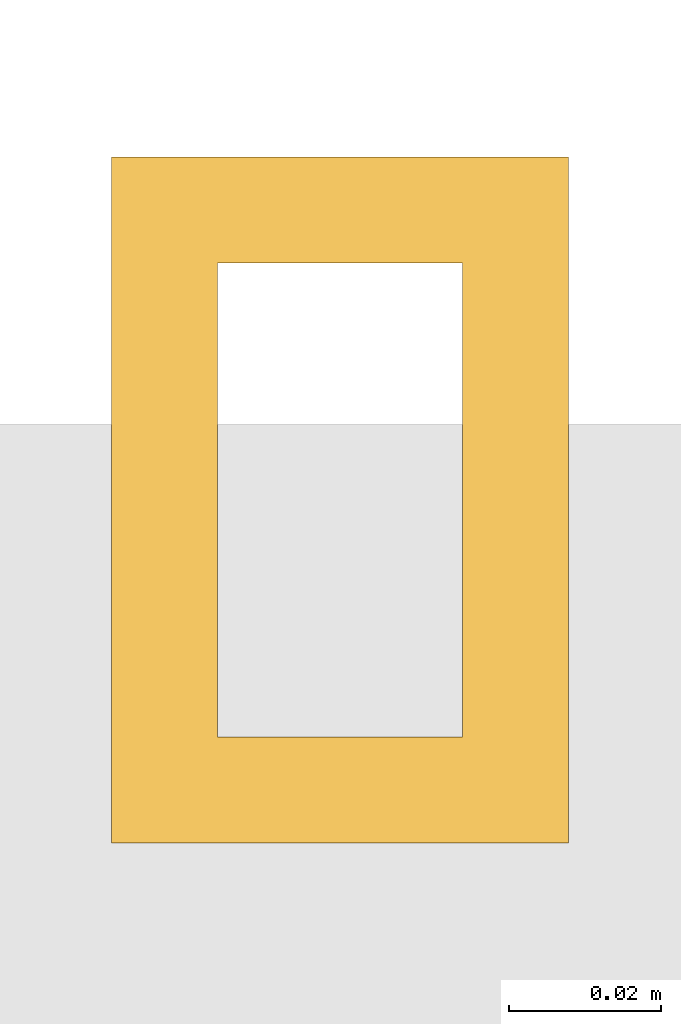
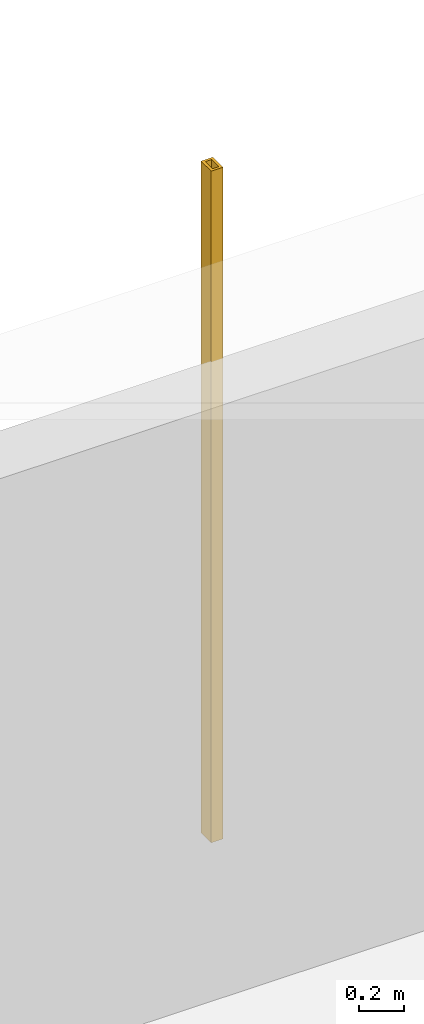
# One storey, part 32 of 33: 1 shading device.
"""IFC4 building model written with IfcOpenShell, lengths in metres."""

from ifc_helpers import new_model, si_unit, direction, frame, origin, origin_2d, place, context, subcontext, project, spatial, hollow_rectangle, extrude, material, material_profile, profile_set, type_object, element, save


model = new_model("IFC4")

# Units and contexts
model_context = context("Model", 3, precision=1e-05, world=origin(), true_north=direction((0.0, 1.0)))
body_context = subcontext(model_context, "Body", "Model", "MODEL_VIEW")
ifc_project = project(units=[si_unit("LENGTHUNIT", "METRE"), si_unit("AREAUNIT", "SQUARE_METRE"), si_unit("VOLUMEUNIT", "CUBIC_METRE"), si_unit("PLANEANGLEUNIT", "RADIAN"), si_unit("MASSUNIT", "GRAM", prefix="KILO")], contexts=[model_context])

# Site, building, storey
site_placement = place(None, origin())
site = spatial("IfcSite", under=ifc_project, at=site_placement, CompositionType="ELEMENT")
building_placement = place(site_placement, origin())
building = spatial("IfcBuilding", under=site, at=building_placement, Name="Punatoya Terracotta Tower", CompositionType="ELEMENT")
storey_placement = place(building_placement, frame((0.0, 0.0, 246.60009765625)))
storey = spatial("IfcBuildingStorey", under=building, at=storey_placement, Name="L58", CompositionType="ELEMENT", Elevation=246.60009765625)

# Shading device
ifc_material = material(Name="Architectural Fired Terracotta", Category="masonry")
ifc_material_profile = material_profile(ifc_material, hollow_rectangle(XDim=0.06005859375, YDim=0.090087890625, WallThickness=0.013916015625, at=origin_2d()))
ifc_profile_set = profile_set([ifc_material_profile], Name="Architectural Fired Terracotta")
shading_device_type = type_object("IfcShadingDeviceType", Name="SHD-JALI-90", PredefinedType="JALOUSIE", material=ifc_profile_set)
shading_device_placement = place(storey_placement, frame((11.49853515625, 15.0400390625, 0.599853515625), z_axis=(0.0, 0.0, 1.0), x_axis=(1.0, 0.0, 0.0)))
element("IfcShadingDevice", 1, at=shading_device_placement, inside=storey, type_object=shading_device_type, Name="L58 Braced Bay Terracotta Jali Fin N1", PredefinedType="JALOUSIE", context=body_context, shape_type="SweptSolid", body=[
    extrude(hollow_rectangle(XDim=0.06005859375, YDim=0.090087890625, WallThickness=0.013916015625, at=origin_2d()), origin(), (0.0, 0.0, 1.0), 3.6201171875),
])

save(model, "model.ifc")
